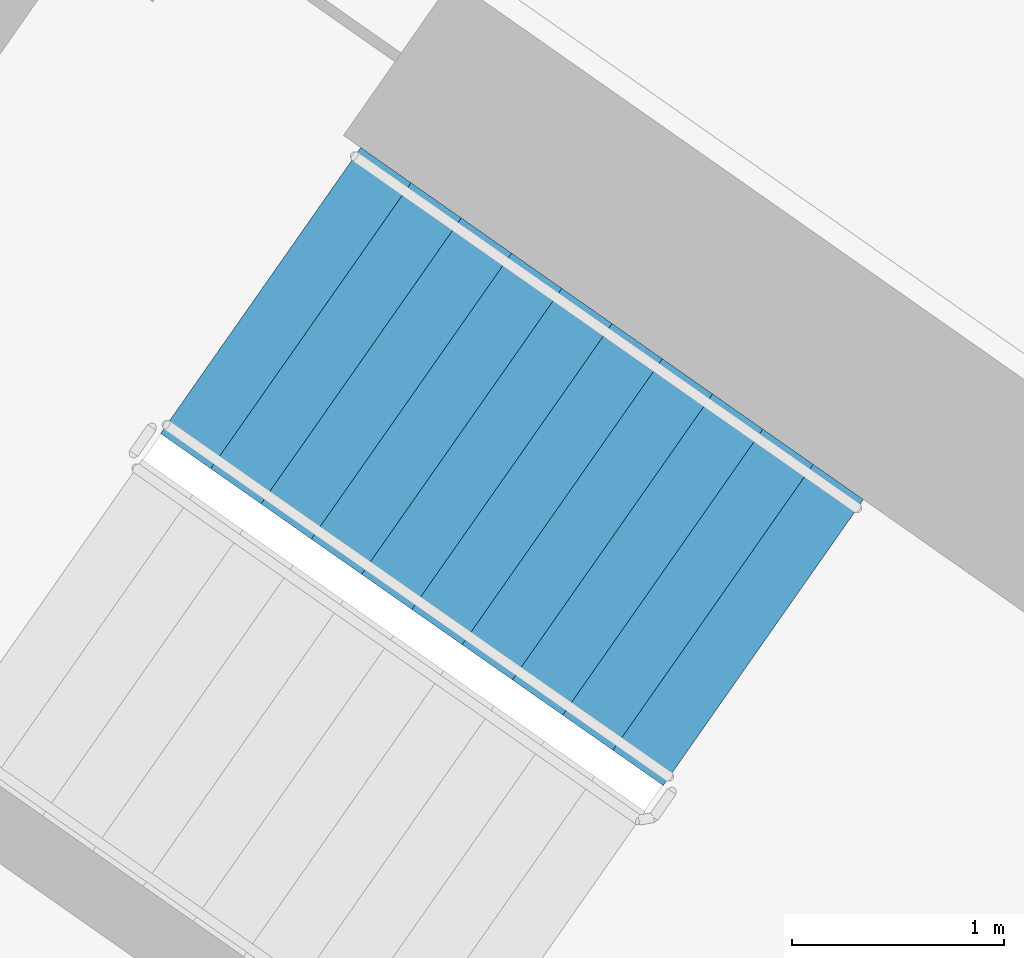
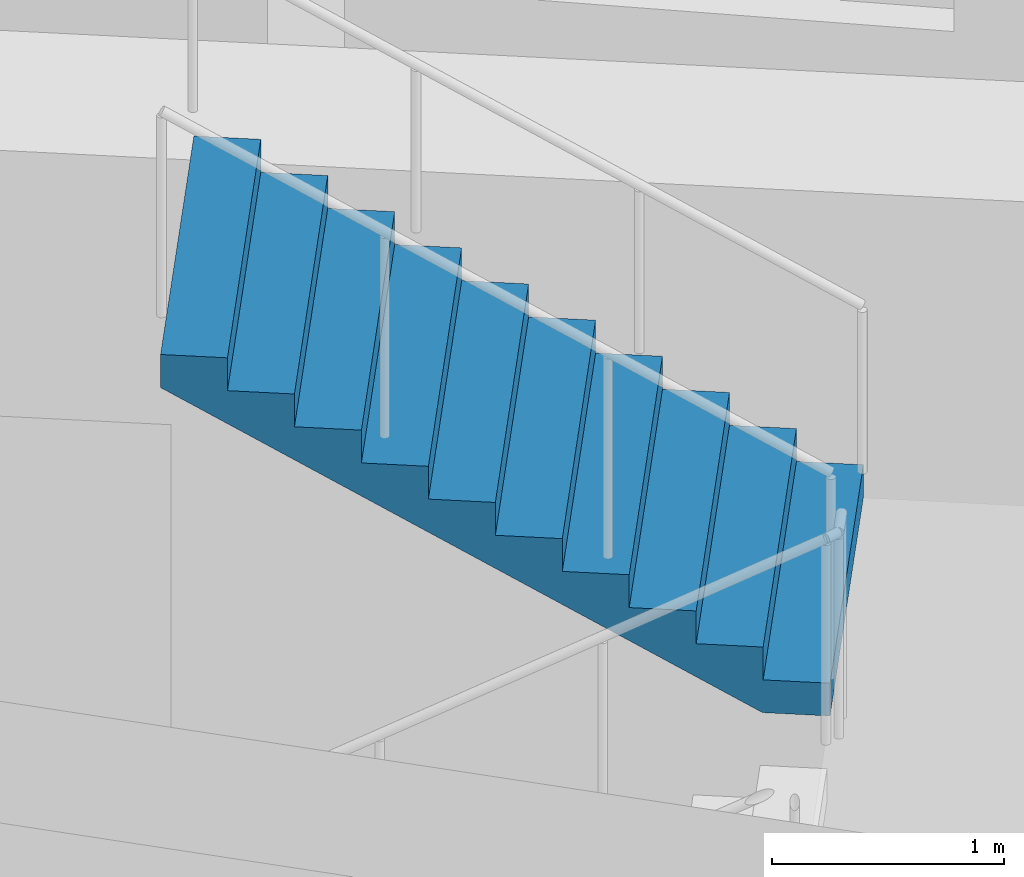
# One storey, part 13 of 31: 1 stair flight, 1 element without a shape of its own.
"""IFC4 building model written with IfcOpenShell, lengths in metres."""

import ifcopenshell
import ifcopenshell.guid

model = None  # the IFC model being written
_history = None  # IfcOwnerHistory: only IFC2X3 demands one
_inside = {}  # id of a spatial element -> (the spatial element, [elements in it])
_under = {}  # id of a project, library or spatial element -> (it, [spatial elements below it])
_declared = {}  # id of a project -> (the project, [libraries it declares])
_typed = {}  # id of a type object -> (the type object, [elements of that type])
_made_of = {}  # id of a material, layer set ... -> (it, [elements and type objects made of it])


def new_model(schema):
    """Start an empty IFC model of exactly this schema.

    Asked for "IFC4X3", IfcOpenShell would pick the latest addendum, in which some entities
    have other attributes; the version numbers below select the first issue.
    IFC2X3 requires an IfcOwnerHistory on every rooted entity: one is made here for all.
    """
    global model, _history
    if schema == "IFC4X3":
        model = ifcopenshell.file(schema_version=(4, 3, 0, 0))
    else:
        model = ifcopenshell.file(schema=schema)
    _inside.clear()
    _under.clear()
    _declared.clear()
    _typed.clear()
    _made_of.clear()
    _history = None
    if model.schema == "IFC2X3":
        org = make("IfcOrganization", Name="unknown")
        user = make(
            "IfcPersonAndOrganization",
            ThePerson=make("IfcPerson", FamilyName="unknown"),
            TheOrganization=org,
        )
        app = make(
            "IfcApplication",
            ApplicationDeveloper=org,
            Version="unknown",
            ApplicationFullName="unknown",
            ApplicationIdentifier="unknown",
        )
        _history = make(
            "IfcOwnerHistory",
            OwningUser=user,
            OwningApplication=app,
            ChangeAction="ADDED",
            CreationDate=0,
        )
    return model


def make(cls, **values):
    """One entity of the class cls with the attributes given. An attribute that is None is left unset."""
    return model.create_entity(
        cls, **{name: value for name, value in values.items() if value is not None}
    )


def rooted(cls, **values):
    """An entity with a GlobalId (a new one), such as an element, a storey or a relation."""
    return make(cls, GlobalId=ifcopenshell.guid.new(), OwnerHistory=_history, **values)


def si_unit(unit_type, name, prefix=None):
    """IfcSIUnit, for example si_unit("LENGTHUNIT", "METRE", prefix="MILLI")."""
    return make("IfcSIUnit", UnitType=unit_type, Prefix=prefix, Name=name)


def assignment(units):
    """IfcUnitAssignment: the units of a project."""
    return None if units is None else make("IfcUnitAssignment", Units=units)


def point(xyz):
    """IfcCartesianPoint."""
    return None if xyz is None else make("IfcCartesianPoint", Coordinates=xyz)


def direction(xyz):
    """IfcDirection."""
    return None if xyz is None else make("IfcDirection", DirectionRatios=xyz)


def frame(location, z_axis=None, x_axis=None):
    """IfcAxis2Placement3D, a coordinate frame: its origin and axes. An axis left out is left unset."""
    return make(
        "IfcAxis2Placement3D",
        Location=point(location),
        Axis=direction(z_axis),
        RefDirection=direction(x_axis),
    )


def origin():
    """The frame at (0, 0, 0) with its axes left unset."""
    return frame((0.0, 0.0, 0.0))


def place(relative_to, where):
    """IfcLocalPlacement: puts the frame where relative to a parent placement (None: the world)."""
    return make(
        "IfcLocalPlacement", PlacementRelTo=relative_to, RelativePlacement=where
    )


def context(
    kind, dimensions, precision=None, world=None, true_north=None, identifier=None
):
    """IfcGeometricRepresentationContext, for example the 3D "Model" context."""
    return make(
        "IfcGeometricRepresentationContext",
        ContextIdentifier=identifier,
        ContextType=kind,
        CoordinateSpaceDimension=dimensions,
        Precision=precision,
        WorldCoordinateSystem=world,
        TrueNorth=true_north,
    )


def subcontext(parent, identifier, kind, view, scale=None):
    """IfcGeometricRepresentationSubContext, for example "Body" below "Model"."""
    return make(
        "IfcGeometricRepresentationSubContext",
        ContextIdentifier=identifier,
        ContextType=kind,
        ParentContext=parent,
        TargetScale=scale,
        TargetView=view,
    )


def project(units=None, contexts=None):
    """IfcProject with its units and contexts."""
    return rooted(
        "IfcProject",
        Name="project",
        RepresentationContexts=contexts,
        UnitsInContext=assignment(units),
    )


def spatial(cls, under=None, at=None, **own):
    """A site, building, storey or space (cls), placed at a placement, below another one or the project."""
    s = rooted(cls, ObjectPlacement=at, **own)
    if under is not None:
        _under.setdefault(under.id(), (under, []))[1].append(s)
    return s


def faces_of(points, faces, orient=None, outer=None):
    """IfcFace entities. A face is a list of loops; a loop is a list of indices into points, from 0.

    orient and outer hold one flag for each loop. By default every Orientation is true, the
    first loop of a face is its IfcFaceOuterBound and the others are IfcFaceBound.
    """
    made = []
    for i, loops in enumerate(faces):
        bounds = []
        for j, loop in enumerate(loops):
            is_outer = j == 0 if outer is None else outer[i][j]
            bounds.append(
                make(
                    "IfcFaceOuterBound" if is_outer else "IfcFaceBound",
                    Bound=make("IfcPolyLoop", Polygon=[points[k] for k in loop]),
                    Orientation=True if orient is None else orient[i][j],
                )
            )
        made.append(make("IfcFace", Bounds=bounds))
    return made


def faceted_brep(points, faces, orient=None, outer=None, voids=None):
    """IfcFacetedBrep: a solid bounded by flat faces; with voids (closed shells), ...WithVoids."""
    shared = [point(p) for p in points]
    hull = make("IfcClosedShell", CfsFaces=faces_of(shared, faces, orient, outer))
    if voids is None:
        return make("IfcFacetedBrep", Outer=hull)
    return make(
        "IfcFacetedBrepWithVoids",
        Outer=hull,
        Voids=[
            make(cls, CfsFaces=faces_of(shared, fs, o, b)) for cls, fs, o, b in voids
        ],
    )


def shape(context_of_items, identifier, shape_type, items):
    """IfcShapeRepresentation: the items that make up one representation, for example the "Body"."""
    return make(
        "IfcShapeRepresentation",
        ContextOfItems=context_of_items,
        RepresentationIdentifier=identifier,
        RepresentationType=shape_type,
        Items=items,
    )


def material(Name=None, Category=None):
    """IfcMaterial."""
    return make("IfcMaterial", Name=Name, Category=Category)


def made_of(thing, what):
    """Note that an element or type object is made of a material, layer set ...; save() writes the relation."""
    if what is not None:
        _made_of.setdefault(what.id(), (what, []))[1].append(thing)
    return thing


def type_object(cls, material=None, **own):
    """A type object (cls), such as IfcWallType, which elements share."""
    return made_of(rooted(cls, **own), material)


def element(
    cls,
    number,
    at=None,
    inside=None,
    cuts=None,
    type_object=None,
    material=None,
    context=None,
    identifier="Body",
    shape_type=None,
    held_by="IfcProductDefinitionShape",
    body=None,
    shapes=None,
    **own,
):
    """One element of the class cls, such as IfcWall. Its Tag is "e" and its number.

    at: its placement. inside: the storey or other place that contains it. cuts: it is an
    opening in that element (IfcRelVoidsElement). A single representation is given by context,
    identifier, shape_type and body (its items); several are given by shapes. held_by: the class
    of the entity that holds the representations. save() writes the other relations.
    """
    e = rooted(cls, Tag="e%d" % number, ObjectPlacement=at, **own)
    if body is not None:
        shapes = [shape(context, identifier, shape_type, body)]
    if shapes is not None:
        e.Representation = make(held_by, Representations=shapes)
    if inside is not None:
        _inside.setdefault(inside.id(), (inside, []))[1].append(e)
    if cuts is not None:
        rooted(
            "IfcRelVoidsElement", RelatingBuildingElement=cuts, RelatedOpeningElement=e
        )
    if type_object is not None:
        _typed.setdefault(type_object.id(), (type_object, []))[1].append(e)
    return made_of(e, material)


def aggregate(whole, parts):
    """IfcRelAggregates: a whole, such as a stair, and the parts it consists of."""
    return rooted("IfcRelAggregates", RelatingObject=whole, RelatedObjects=parts)


def save(model, path):
    """Write the relations noted so far, then the file.

    IfcRelAggregates (storeys below a building ...), IfcRelContainedInSpatialStructure (elements
    in a storey), IfcRelDefinesByType, IfcRelAssociatesMaterial and IfcRelDeclares: one each for
    every whole, place, type object, material and project.
    """
    for whole, parts in _under.values():
        aggregate(whole, parts)
    for where, things in _inside.values():
        rooted(
            "IfcRelContainedInSpatialStructure",
            RelatedElements=things,
            RelatingStructure=where,
        )
    for kind, things in _typed.values():
        rooted("IfcRelDefinesByType", RelatedObjects=things, RelatingType=kind)
    for what, things in _made_of.values():
        rooted("IfcRelAssociatesMaterial", RelatedObjects=things, RelatingMaterial=what)
    for by, libraries in _declared.values():
        rooted("IfcRelDeclares", RelatingContext=by, RelatedDefinitions=libraries)
    model.write(path)


model = new_model("IFC4")

# Units and contexts
model_context = context("Model", 3, precision=1e-05, world=origin(), true_north=direction((0.0, 1.0)))
body_context = subcontext(model_context, "Body", "Model", "MODEL_VIEW")
ifc_project = project(units=[si_unit("LENGTHUNIT", "METRE"), si_unit("AREAUNIT", "SQUARE_METRE"), si_unit("VOLUMEUNIT", "CUBIC_METRE"), si_unit("PLANEANGLEUNIT", "RADIAN"), si_unit("MASSUNIT", "GRAM", prefix="KILO")], contexts=[model_context])

# Site, building, storey
site_placement = place(None, origin())
site = spatial("IfcSite", under=ifc_project, at=site_placement, CompositionType="ELEMENT")
building_placement = place(site_placement, origin())
building = spatial("IfcBuilding", under=site, at=building_placement, Name="Qamariyya Broadcast Tower", CompositionType="ELEMENT")
storey_placement = place(building_placement, frame((0.0, 0.0, 48.10009765625)))
storey = spatial("IfcBuildingStorey", under=building, at=storey_placement, Name="L08", CompositionType="ELEMENT", Elevation=48.10009765625)

# Stair, stair flight
ifc_material = material(Name="Concrete C50/60", Category="concrete")
stair_type = type_object("IfcStairType", Name="Exit stair 22 risers of 173 mm", PredefinedType="HALF_TURN_STAIR", material=ifc_material)
stair_placement = place(storey_placement, origin())
stair = element("IfcStair", 1, at=stair_placement, inside=storey, type_object=stair_type, Name="L08 Stair W2", PredefinedType="HALF_TURN_STAIR")
stair_flight_type = type_object("IfcStairFlightType", Name="Exit stair flight 11 risers of 173 mm", PredefinedType="STRAIGHT", material=ifc_material)
stair_flight_placement = place(storey_placement, frame((-38.18310546875, -49.3486328125, 1.89990234375), z_axis=(0.0, 0.0, 1.0), x_axis=(-0.819152044289, 0.573576436351, 0.0)))
stair_flight = element("IfcStairFlight", 2, at=stair_flight_placement, type_object=stair_flight_type, Name="ST-W2 flight 2", NumberOfRisers=11, NumberOfTreads=10, PredefinedType="STRAIGHT", RiserHeight=0.172727273, TreadLength=0.29, context=body_context, shape_type="Brep", body=[
    faceted_brep([(0.0, 0.824951171875, 0.0), (0.0, 0.824951171875, 0.172607421875), (0.2900390625, 0.824951171875, 0.172607421875), (0.2900390625, 0.824951171875, 0.345458984375), (0.580078125, 0.824951171875, 0.345458984375), (0.580078125, 0.824951171875, 0.51806640625), (0.8701171875, 0.824951171875, 0.51806640625), (0.8701171875, 0.824951171875, 0.69091796875), (1.159912109375, 0.824951171875, 0.69091796875), (1.159912109375, 0.824951171875, 0.863525390625), (1.449951171875, 0.824951171875, 0.863525390625), (1.449951171875, 0.824951171875, 1.036376953125), (1.739990234375, 0.824951171875, 1.036376953125), (1.739990234375, 0.824951171875, 1.208984375), (2.030029296875, 0.824951171875, 1.208984375), (2.030029296875, 0.824951171875, 1.3818359375), (2.320068359375, 0.824951171875, 1.3818359375), (2.320068359375, 0.824951171875, 1.554443359375), (2.610107421875, 0.824951171875, 1.554443359375), (2.610107421875, 0.824951171875, 1.727294921875), (2.89990234375, 0.824951171875, 1.727294921875), (2.89990234375, 0.824951171875, 1.552734375), (0.29296875, 0.824951171875, 0.0), (0.29296875, -0.824951171875, 0.0), (2.89990234375, -0.824951171875, 1.552734375), (2.89990234375, -0.824951171875, 1.727294921875), (2.610107421875, -0.824951171875, 1.727294921875), (2.610107421875, -0.824951171875, 1.554443359375), (2.320068359375, -0.824951171875, 1.554443359375), (2.320068359375, -0.824951171875, 1.3818359375), (2.030029296875, -0.824951171875, 1.3818359375), (2.030029296875, -0.824951171875, 1.208984375), (1.739990234375, -0.824951171875, 1.208984375), (1.739990234375, -0.824951171875, 1.036376953125), (1.449951171875, -0.824951171875, 1.036376953125), (1.449951171875, -0.824951171875, 0.863525390625), (1.159912109375, -0.824951171875, 0.863525390625), (1.159912109375, -0.824951171875, 0.69091796875), (0.8701171875, -0.824951171875, 0.69091796875), (0.8701171875, -0.824951171875, 0.51806640625), (0.580078125, -0.824951171875, 0.51806640625), (0.580078125, -0.824951171875, 0.345458984375), (0.2900390625, -0.824951171875, 0.345458984375), (0.2900390625, -0.824951171875, 0.172607421875), (0.0, -0.824951171875, 0.172607421875), (0.0, -0.824951171875, 0.0), (0.0, 0.10009765625, 0.0), (0.0, 0.086669921875, 0.0), (0.0, 0.0732421875, 0.0), (0.0, 0.06005859375, 0.0), (0.0, 0.046630859375, 0.0), (0.0, 0.033447265625, 0.0), (0.0, 0.02001953125, 0.0), (0.0, 0.006591796875, 0.0), (0.0, -0.006591796875, 0.0), (0.0, -0.02001953125, 0.0), (0.0, -0.033447265625, 0.0), (0.0, -0.046630859375, 0.0), (0.0, -0.06005859375, 0.0), (0.0, -0.0732421875, 0.0), (0.0, -0.086669921875, 0.0), (0.0, -0.10009765625, 0.0), (0.0, -0.10009765625, 0.172607421875), (0.0, -0.086669921875, 0.172607421875), (0.0, -0.0732421875, 0.172607421875), (0.0, -0.06005859375, 0.172607421875), (0.0, -0.046630859375, 0.172607421875), (0.0, -0.033447265625, 0.172607421875), (0.0, -0.02001953125, 0.172607421875), (0.0, -0.006591796875, 0.172607421875), (0.0, 0.006591796875, 0.172607421875), (0.0, 0.02001953125, 0.172607421875), (0.0, 0.033447265625, 0.172607421875), (0.0, 0.046630859375, 0.172607421875), (0.0, 0.06005859375, 0.172607421875), (0.0, 0.0732421875, 0.172607421875), (0.0, 0.086669921875, 0.172607421875), (0.0, 0.10009765625, 0.172607421875), (0.2900390625, -0.10009765625, 0.172607421875), (0.2900390625, -0.086669921875, 0.172607421875), (0.2900390625, -0.0732421875, 0.172607421875), (0.2900390625, -0.06005859375, 0.172607421875), (0.2900390625, -0.046630859375, 0.172607421875), (0.2900390625, -0.033447265625, 0.172607421875), (0.2900390625, -0.02001953125, 0.172607421875), (0.2900390625, -0.006591796875, 0.172607421875), (0.2900390625, 0.006591796875, 0.172607421875), (0.2900390625, 0.02001953125, 0.172607421875), (0.2900390625, 0.033447265625, 0.172607421875), (0.2900390625, 0.046630859375, 0.172607421875), (0.2900390625, 0.06005859375, 0.172607421875), (0.2900390625, 0.0732421875, 0.172607421875), (0.2900390625, 0.086669921875, 0.172607421875), (0.2900390625, 0.10009765625, 0.172607421875), (0.2900390625, -0.10009765625, 0.345458984375), (0.2900390625, -0.086669921875, 0.345458984375), (0.2900390625, -0.0732421875, 0.345458984375), (0.2900390625, -0.06005859375, 0.345458984375), (0.2900390625, -0.046630859375, 0.345458984375), (0.2900390625, -0.033447265625, 0.345458984375), (0.2900390625, -0.02001953125, 0.345458984375), (0.2900390625, -0.006591796875, 0.345458984375), (0.2900390625, 0.006591796875, 0.345458984375), (0.2900390625, 0.02001953125, 0.345458984375), (0.2900390625, 0.033447265625, 0.345458984375), (0.2900390625, 0.046630859375, 0.345458984375), (0.2900390625, 0.06005859375, 0.345458984375), (0.2900390625, 0.0732421875, 0.345458984375), (0.2900390625, 0.086669921875, 0.345458984375), (0.2900390625, 0.10009765625, 0.345458984375), (0.580078125, -0.10009765625, 0.345458984375), (0.580078125, -0.086669921875, 0.345458984375), (0.580078125, -0.0732421875, 0.345458984375), (0.580078125, -0.06005859375, 0.345458984375), (0.580078125, -0.046630859375, 0.345458984375), (0.580078125, -0.033447265625, 0.345458984375), (0.580078125, -0.02001953125, 0.345458984375), (0.580078125, -0.006591796875, 0.345458984375), (0.580078125, 0.006591796875, 0.345458984375), (0.580078125, 0.02001953125, 0.345458984375), (0.580078125, 0.033447265625, 0.345458984375), (0.580078125, 0.046630859375, 0.345458984375), (0.580078125, 0.06005859375, 0.345458984375), (0.580078125, 0.0732421875, 0.345458984375), (0.580078125, 0.086669921875, 0.345458984375), (0.580078125, 0.10009765625, 0.345458984375), (0.580078125, -0.10009765625, 0.51806640625), (0.580078125, -0.086669921875, 0.51806640625), (0.580078125, -0.0732421875, 0.51806640625), (0.580078125, -0.06005859375, 0.51806640625), (0.580078125, -0.046630859375, 0.51806640625), (0.580078125, -0.033447265625, 0.51806640625), (0.580078125, -0.02001953125, 0.51806640625), (0.580078125, -0.006591796875, 0.51806640625), (0.580078125, 0.006591796875, 0.51806640625), (0.580078125, 0.02001953125, 0.51806640625), (0.580078125, 0.033447265625, 0.51806640625), (0.580078125, 0.046630859375, 0.51806640625), (0.580078125, 0.06005859375, 0.51806640625), (0.580078125, 0.0732421875, 0.51806640625), (0.580078125, 0.086669921875, 0.51806640625), (0.580078125, 0.10009765625, 0.51806640625), (0.8701171875, -0.10009765625, 0.51806640625), (0.8701171875, -0.086669921875, 0.51806640625), (0.8701171875, -0.0732421875, 0.51806640625), (0.8701171875, -0.06005859375, 0.51806640625), (0.8701171875, -0.046630859375, 0.51806640625), (0.8701171875, -0.033447265625, 0.51806640625), (0.8701171875, -0.02001953125, 0.51806640625), (0.8701171875, -0.006591796875, 0.51806640625), (0.8701171875, 0.006591796875, 0.51806640625), (0.8701171875, 0.02001953125, 0.51806640625), (0.8701171875, 0.033447265625, 0.51806640625), (0.8701171875, 0.046630859375, 0.51806640625), (0.8701171875, 0.06005859375, 0.51806640625), (0.8701171875, 0.0732421875, 0.51806640625), (0.8701171875, 0.086669921875, 0.51806640625), (0.8701171875, 0.10009765625, 0.51806640625), (0.8701171875, -0.10009765625, 0.69091796875), (0.8701171875, -0.086669921875, 0.69091796875), (0.8701171875, -0.0732421875, 0.69091796875), (0.8701171875, -0.06005859375, 0.69091796875), (0.8701171875, -0.046630859375, 0.69091796875), (0.8701171875, -0.033447265625, 0.69091796875), (0.8701171875, -0.02001953125, 0.69091796875), (0.8701171875, -0.006591796875, 0.69091796875), (0.8701171875, 0.006591796875, 0.69091796875), (0.8701171875, 0.02001953125, 0.69091796875), (0.8701171875, 0.033447265625, 0.69091796875), (0.8701171875, 0.046630859375, 0.69091796875), (0.8701171875, 0.06005859375, 0.69091796875), (0.8701171875, 0.0732421875, 0.69091796875), (0.8701171875, 0.086669921875, 0.69091796875), (0.8701171875, 0.10009765625, 0.69091796875), (1.159912109375, -0.10009765625, 0.69091796875), (1.159912109375, -0.086669921875, 0.69091796875), (1.159912109375, -0.0732421875, 0.69091796875), (1.159912109375, -0.06005859375, 0.69091796875), (1.159912109375, -0.046630859375, 0.69091796875), (1.159912109375, -0.033447265625, 0.69091796875), (1.159912109375, -0.02001953125, 0.69091796875), (1.159912109375, -0.006591796875, 0.69091796875), (1.159912109375, 0.006591796875, 0.69091796875), (1.159912109375, 0.02001953125, 0.69091796875), (1.159912109375, 0.033447265625, 0.69091796875), (1.159912109375, 0.046630859375, 0.69091796875), (1.159912109375, 0.06005859375, 0.69091796875), (1.159912109375, 0.0732421875, 0.69091796875), (1.159912109375, 0.086669921875, 0.69091796875), (1.159912109375, 0.10009765625, 0.69091796875), (1.159912109375, -0.10009765625, 0.863525390625), (1.159912109375, -0.086669921875, 0.863525390625), (1.159912109375, -0.0732421875, 0.863525390625), (1.159912109375, -0.06005859375, 0.863525390625), (1.159912109375, -0.046630859375, 0.863525390625), (1.159912109375, -0.033447265625, 0.863525390625), (1.159912109375, -0.02001953125, 0.863525390625), (1.159912109375, -0.006591796875, 0.863525390625), (1.159912109375, 0.006591796875, 0.863525390625), (1.159912109375, 0.02001953125, 0.863525390625), (1.159912109375, 0.033447265625, 0.863525390625), (1.159912109375, 0.046630859375, 0.863525390625), (1.159912109375, 0.06005859375, 0.863525390625), (1.159912109375, 0.0732421875, 0.863525390625), (1.159912109375, 0.086669921875, 0.863525390625), (1.159912109375, 0.10009765625, 0.863525390625), (1.449951171875, -0.10009765625, 0.863525390625), (1.449951171875, -0.086669921875, 0.863525390625), (1.449951171875, -0.0732421875, 0.863525390625), (1.449951171875, -0.06005859375, 0.863525390625), (1.449951171875, -0.046630859375, 0.863525390625), (1.449951171875, -0.033447265625, 0.863525390625), (1.449951171875, -0.02001953125, 0.863525390625), (1.449951171875, -0.006591796875, 0.863525390625), (1.449951171875, 0.006591796875, 0.863525390625), (1.449951171875, 0.02001953125, 0.863525390625), (1.449951171875, 0.033447265625, 0.863525390625), (1.449951171875, 0.046630859375, 0.863525390625), (1.449951171875, 0.06005859375, 0.863525390625), (1.449951171875, 0.0732421875, 0.863525390625), (1.449951171875, 0.086669921875, 0.863525390625), (1.449951171875, 0.10009765625, 0.863525390625), (1.449951171875, -0.10009765625, 1.036376953125), (1.449951171875, -0.086669921875, 1.036376953125), (1.449951171875, -0.0732421875, 1.036376953125), (1.449951171875, -0.06005859375, 1.036376953125), (1.449951171875, -0.046630859375, 1.036376953125), (1.449951171875, -0.033447265625, 1.036376953125), (1.449951171875, -0.02001953125, 1.036376953125), (1.449951171875, -0.006591796875, 1.036376953125), (1.449951171875, 0.006591796875, 1.036376953125), (1.449951171875, 0.02001953125, 1.036376953125), (1.449951171875, 0.033447265625, 1.036376953125), (1.449951171875, 0.046630859375, 1.036376953125), (1.449951171875, 0.06005859375, 1.036376953125), (1.449951171875, 0.0732421875, 1.036376953125), (1.449951171875, 0.086669921875, 1.036376953125), (1.449951171875, 0.10009765625, 1.036376953125), (1.739990234375, -0.10009765625, 1.036376953125), (1.739990234375, -0.086669921875, 1.036376953125), (1.739990234375, -0.0732421875, 1.036376953125), (1.739990234375, -0.06005859375, 1.036376953125), (1.739990234375, -0.046630859375, 1.036376953125), (1.739990234375, -0.033447265625, 1.036376953125), (1.739990234375, -0.02001953125, 1.036376953125), (1.739990234375, -0.006591796875, 1.036376953125), (1.739990234375, 0.006591796875, 1.036376953125), (1.739990234375, 0.02001953125, 1.036376953125), (1.739990234375, 0.033447265625, 1.036376953125), (1.739990234375, 0.046630859375, 1.036376953125), (1.739990234375, 0.06005859375, 1.036376953125), (1.739990234375, 0.0732421875, 1.036376953125), (1.739990234375, 0.086669921875, 1.036376953125), (1.739990234375, 0.10009765625, 1.036376953125), (1.739990234375, -0.10009765625, 1.208984375), (1.739990234375, -0.086669921875, 1.208984375), (1.739990234375, -0.0732421875, 1.208984375), (1.739990234375, -0.06005859375, 1.208984375), (1.739990234375, -0.046630859375, 1.208984375), (1.739990234375, -0.033447265625, 1.208984375), (1.739990234375, -0.02001953125, 1.208984375), (1.739990234375, -0.006591796875, 1.208984375), (1.739990234375, 0.006591796875, 1.208984375), (1.739990234375, 0.02001953125, 1.208984375), (1.739990234375, 0.033447265625, 1.208984375), (1.739990234375, 0.046630859375, 1.208984375), (1.739990234375, 0.06005859375, 1.208984375), (1.739990234375, 0.0732421875, 1.208984375), (1.739990234375, 0.086669921875, 1.208984375), (1.739990234375, 0.10009765625, 1.208984375), (2.030029296875, -0.10009765625, 1.208984375), (2.030029296875, -0.086669921875, 1.208984375), (2.030029296875, -0.0732421875, 1.208984375), (2.030029296875, -0.06005859375, 1.208984375), (2.030029296875, -0.046630859375, 1.208984375), (2.030029296875, -0.033447265625, 1.208984375), (2.030029296875, -0.02001953125, 1.208984375), (2.030029296875, -0.006591796875, 1.208984375), (2.030029296875, 0.006591796875, 1.208984375), (2.030029296875, 0.02001953125, 1.208984375), (2.030029296875, 0.033447265625, 1.208984375), (2.030029296875, 0.046630859375, 1.208984375), (2.030029296875, 0.06005859375, 1.208984375), (2.030029296875, 0.0732421875, 1.208984375), (2.030029296875, 0.086669921875, 1.208984375), (2.030029296875, 0.10009765625, 1.208984375), (2.030029296875, -0.10009765625, 1.3818359375), (2.030029296875, -0.086669921875, 1.3818359375), (2.030029296875, -0.0732421875, 1.3818359375), (2.030029296875, -0.06005859375, 1.3818359375), (2.030029296875, -0.046630859375, 1.3818359375), (2.030029296875, -0.033447265625, 1.3818359375), (2.030029296875, -0.02001953125, 1.3818359375), (2.030029296875, -0.006591796875, 1.3818359375), (2.030029296875, 0.006591796875, 1.3818359375), (2.030029296875, 0.02001953125, 1.3818359375), (2.030029296875, 0.033447265625, 1.3818359375), (2.030029296875, 0.046630859375, 1.3818359375), (2.030029296875, 0.06005859375, 1.3818359375), (2.030029296875, 0.0732421875, 1.3818359375), (2.030029296875, 0.086669921875, 1.3818359375), (2.030029296875, 0.10009765625, 1.3818359375), (2.320068359375, -0.10009765625, 1.3818359375), (2.320068359375, -0.086669921875, 1.3818359375), (2.320068359375, -0.0732421875, 1.3818359375), (2.320068359375, -0.06005859375, 1.3818359375), (2.320068359375, -0.046630859375, 1.3818359375), (2.320068359375, -0.033447265625, 1.3818359375), (2.320068359375, -0.02001953125, 1.3818359375), (2.320068359375, -0.006591796875, 1.3818359375), (2.320068359375, 0.006591796875, 1.3818359375), (2.320068359375, 0.02001953125, 1.3818359375), (2.320068359375, 0.033447265625, 1.3818359375), (2.320068359375, 0.046630859375, 1.3818359375), (2.320068359375, 0.06005859375, 1.3818359375), (2.320068359375, 0.0732421875, 1.3818359375), (2.320068359375, 0.086669921875, 1.3818359375), (2.320068359375, 0.10009765625, 1.3818359375), (2.320068359375, -0.10009765625, 1.554443359375), (2.320068359375, -0.086669921875, 1.554443359375), (2.320068359375, -0.0732421875, 1.554443359375), (2.320068359375, -0.06005859375, 1.554443359375), (2.320068359375, -0.046630859375, 1.554443359375), (2.320068359375, -0.033447265625, 1.554443359375), (2.320068359375, -0.02001953125, 1.554443359375), (2.320068359375, -0.006591796875, 1.554443359375), (2.320068359375, 0.006591796875, 1.554443359375), (2.320068359375, 0.02001953125, 1.554443359375), (2.320068359375, 0.033447265625, 1.554443359375), (2.320068359375, 0.046630859375, 1.554443359375), (2.320068359375, 0.06005859375, 1.554443359375), (2.320068359375, 0.0732421875, 1.554443359375), (2.320068359375, 0.086669921875, 1.554443359375), (2.320068359375, 0.10009765625, 1.554443359375), (2.610107421875, -0.10009765625, 1.554443359375), (2.610107421875, -0.086669921875, 1.554443359375), (2.610107421875, -0.0732421875, 1.554443359375), (2.610107421875, -0.06005859375, 1.554443359375), (2.610107421875, -0.046630859375, 1.554443359375), (2.610107421875, -0.033447265625, 1.554443359375), (2.610107421875, -0.02001953125, 1.554443359375), (2.610107421875, -0.006591796875, 1.554443359375), (2.610107421875, 0.006591796875, 1.554443359375), (2.610107421875, 0.02001953125, 1.554443359375), (2.610107421875, 0.033447265625, 1.554443359375), (2.610107421875, 0.046630859375, 1.554443359375), (2.610107421875, 0.06005859375, 1.554443359375), (2.610107421875, 0.0732421875, 1.554443359375), (2.610107421875, 0.086669921875, 1.554443359375), (2.610107421875, 0.10009765625, 1.554443359375), (2.610107421875, -0.10009765625, 1.727294921875), (2.610107421875, -0.086669921875, 1.727294921875), (2.610107421875, -0.0732421875, 1.727294921875), (2.610107421875, -0.06005859375, 1.727294921875), (2.610107421875, -0.046630859375, 1.727294921875), (2.610107421875, -0.033447265625, 1.727294921875), (2.610107421875, -0.02001953125, 1.727294921875), (2.610107421875, -0.006591796875, 1.727294921875), (2.610107421875, 0.006591796875, 1.727294921875), (2.610107421875, 0.02001953125, 1.727294921875), (2.610107421875, 0.033447265625, 1.727294921875), (2.610107421875, 0.046630859375, 1.727294921875), (2.610107421875, 0.06005859375, 1.727294921875), (2.610107421875, 0.0732421875, 1.727294921875), (2.610107421875, 0.086669921875, 1.727294921875), (2.610107421875, 0.10009765625, 1.727294921875), (2.89990234375, -0.10009765625, 1.727294921875), (2.89990234375, -0.086669921875, 1.727294921875), (2.89990234375, -0.0732421875, 1.727294921875), (2.89990234375, -0.06005859375, 1.727294921875), (2.89990234375, -0.046630859375, 1.727294921875), (2.89990234375, -0.033447265625, 1.727294921875), (2.89990234375, -0.02001953125, 1.727294921875), (2.89990234375, -0.006591796875, 1.727294921875), (2.89990234375, 0.006591796875, 1.727294921875), (2.89990234375, 0.02001953125, 1.727294921875), (2.89990234375, 0.033447265625, 1.727294921875), (2.89990234375, 0.046630859375, 1.727294921875), (2.89990234375, 0.06005859375, 1.727294921875), (2.89990234375, 0.0732421875, 1.727294921875), (2.89990234375, 0.086669921875, 1.727294921875), (2.89990234375, 0.10009765625, 1.727294921875), (2.89990234375, -0.10009765625, 1.552734375), (2.89990234375, -0.086669921875, 1.552734375), (2.89990234375, -0.0732421875, 1.552734375), (2.89990234375, -0.06005859375, 1.552734375), (2.89990234375, -0.046630859375, 1.552734375), (2.89990234375, -0.033447265625, 1.552734375), (2.89990234375, -0.02001953125, 1.552734375), (2.89990234375, -0.006591796875, 1.552734375), (2.89990234375, 0.006591796875, 1.552734375), (2.89990234375, 0.02001953125, 1.552734375), (2.89990234375, 0.033447265625, 1.552734375), (2.89990234375, 0.046630859375, 1.552734375), (2.89990234375, 0.06005859375, 1.552734375), (2.89990234375, 0.0732421875, 1.552734375), (2.89990234375, 0.086669921875, 1.552734375), (2.89990234375, 0.10009765625, 1.552734375), (0.29296875, -0.10009765625, 0.0), (0.29296875, -0.086669921875, 0.0), (0.29296875, -0.0732421875, 0.0), (0.29296875, -0.06005859375, 0.0), (0.29296875, -0.046630859375, 0.0), (0.29296875, -0.033447265625, 0.0), (0.29296875, -0.02001953125, 0.0), (0.29296875, -0.006591796875, 0.0), (0.29296875, 0.006591796875, 0.0), (0.29296875, 0.02001953125, 0.0), (0.29296875, 0.033447265625, 0.0), (0.29296875, 0.046630859375, 0.0), (0.29296875, 0.06005859375, 0.0), (0.29296875, 0.0732421875, 0.0), (0.29296875, 0.086669921875, 0.0), (0.29296875, 0.10009765625, 0.0)], [[[0, 1, 2, 3, 4, 5, 6, 7, 8, 9, 10, 11, 12, 13, 14, 15, 16, 17, 18, 19, 20, 21, 22]], [[23, 24, 25, 26, 27, 28, 29, 30, 31, 32, 33, 34, 35, 36, 37, 38, 39, 40, 41, 42, 43, 44, 45]], [[0, 46, 47, 48, 49, 50, 51, 52, 53, 54, 55, 56, 57, 58, 59, 60, 61, 45, 44, 62, 63, 64, 65, 66, 67, 68, 69, 70, 71, 72, 73, 74, 75, 76, 77, 1]], [[1, 77, 76, 75, 74, 73, 72, 71, 70, 69, 68, 67, 66, 65, 64, 63, 62, 44, 43, 78, 79, 80, 81, 82, 83, 84, 85, 86, 87, 88, 89, 90, 91, 92, 93, 2]], [[2, 93, 92, 91, 90, 89, 88, 87, 86, 85, 84, 83, 82, 81, 80, 79, 78, 43, 42, 94, 95, 96, 97, 98, 99, 100, 101, 102, 103, 104, 105, 106, 107, 108, 109, 3]], [[3, 109, 108, 107, 106, 105, 104, 103, 102, 101, 100, 99, 98, 97, 96, 95, 94, 42, 41, 110, 111, 112, 113, 114, 115, 116, 117, 118, 119, 120, 121, 122, 123, 124, 125, 4]], [[4, 125, 124, 123, 122, 121, 120, 119, 118, 117, 116, 115, 114, 113, 112, 111, 110, 41, 40, 126, 127, 128, 129, 130, 131, 132, 133, 134, 135, 136, 137, 138, 139, 140, 141, 5]], [[5, 141, 140, 139, 138, 137, 136, 135, 134, 133, 132, 131, 130, 129, 128, 127, 126, 40, 39, 142, 143, 144, 145, 146, 147, 148, 149, 150, 151, 152, 153, 154, 155, 156, 157, 6]], [[6, 157, 156, 155, 154, 153, 152, 151, 150, 149, 148, 147, 146, 145, 144, 143, 142, 39, 38, 158, 159, 160, 161, 162, 163, 164, 165, 166, 167, 168, 169, 170, 171, 172, 173, 7]], [[7, 173, 172, 171, 170, 169, 168, 167, 166, 165, 164, 163, 162, 161, 160, 159, 158, 38, 37, 174, 175, 176, 177, 178, 179, 180, 181, 182, 183, 184, 185, 186, 187, 188, 189, 8]], [[8, 189, 188, 187, 186, 185, 184, 183, 182, 181, 180, 179, 178, 177, 176, 175, 174, 37, 36, 190, 191, 192, 193, 194, 195, 196, 197, 198, 199, 200, 201, 202, 203, 204, 205, 9]], [[9, 205, 204, 203, 202, 201, 200, 199, 198, 197, 196, 195, 194, 193, 192, 191, 190, 36, 35, 206, 207, 208, 209, 210, 211, 212, 213, 214, 215, 216, 217, 218, 219, 220, 221, 10]], [[10, 221, 220, 219, 218, 217, 216, 215, 214, 213, 212, 211, 210, 209, 208, 207, 206, 35, 34, 222, 223, 224, 225, 226, 227, 228, 229, 230, 231, 232, 233, 234, 235, 236, 237, 11]], [[11, 237, 236, 235, 234, 233, 232, 231, 230, 229, 228, 227, 226, 225, 224, 223, 222, 34, 33, 238, 239, 240, 241, 242, 243, 244, 245, 246, 247, 248, 249, 250, 251, 252, 253, 12]], [[12, 253, 252, 251, 250, 249, 248, 247, 246, 245, 244, 243, 242, 241, 240, 239, 238, 33, 32, 254, 255, 256, 257, 258, 259, 260, 261, 262, 263, 264, 265, 266, 267, 268, 269, 13]], [[13, 269, 268, 267, 266, 265, 264, 263, 262, 261, 260, 259, 258, 257, 256, 255, 254, 32, 31, 270, 271, 272, 273, 274, 275, 276, 277, 278, 279, 280, 281, 282, 283, 284, 285, 14]], [[14, 285, 284, 283, 282, 281, 280, 279, 278, 277, 276, 275, 274, 273, 272, 271, 270, 31, 30, 286, 287, 288, 289, 290, 291, 292, 293, 294, 295, 296, 297, 298, 299, 300, 301, 15]], [[15, 301, 300, 299, 298, 297, 296, 295, 294, 293, 292, 291, 290, 289, 288, 287, 286, 30, 29, 302, 303, 304, 305, 306, 307, 308, 309, 310, 311, 312, 313, 314, 315, 316, 317, 16]], [[16, 317, 316, 315, 314, 313, 312, 311, 310, 309, 308, 307, 306, 305, 304, 303, 302, 29, 28, 318, 319, 320, 321, 322, 323, 324, 325, 326, 327, 328, 329, 330, 331, 332, 333, 17]], [[17, 333, 332, 331, 330, 329, 328, 327, 326, 325, 324, 323, 322, 321, 320, 319, 318, 28, 27, 334, 335, 336, 337, 338, 339, 340, 341, 342, 343, 344, 345, 346, 347, 348, 349, 18]], [[18, 349, 348, 347, 346, 345, 344, 343, 342, 341, 340, 339, 338, 337, 336, 335, 334, 27, 26, 350, 351, 352, 353, 354, 355, 356, 357, 358, 359, 360, 361, 362, 363, 364, 365, 19]], [[19, 365, 364, 363, 362, 361, 360, 359, 358, 357, 356, 355, 354, 353, 352, 351, 350, 26, 25, 366, 367, 368, 369, 370, 371, 372, 373, 374, 375, 376, 377, 378, 379, 380, 381, 20]], [[20, 381, 380, 379, 378, 377, 376, 375, 374, 373, 372, 371, 370, 369, 368, 367, 366, 25, 24, 382, 383, 384, 385, 386, 387, 388, 389, 390, 391, 392, 393, 394, 395, 396, 397, 21]], [[21, 397, 396, 395, 394, 393, 392, 391, 390, 389, 388, 387, 386, 385, 384, 383, 382, 24, 23, 398, 399, 400, 401, 402, 403, 404, 405, 406, 407, 408, 409, 410, 411, 412, 413, 22]], [[22, 413, 412, 411, 410, 409, 408, 407, 406, 405, 404, 403, 402, 401, 400, 399, 398, 23, 45, 61, 60, 59, 58, 57, 56, 55, 54, 53, 52, 51, 50, 49, 48, 47, 46, 0]]]),
])
aggregate(stair, [stair_flight])

save(model, "model.ifc")
